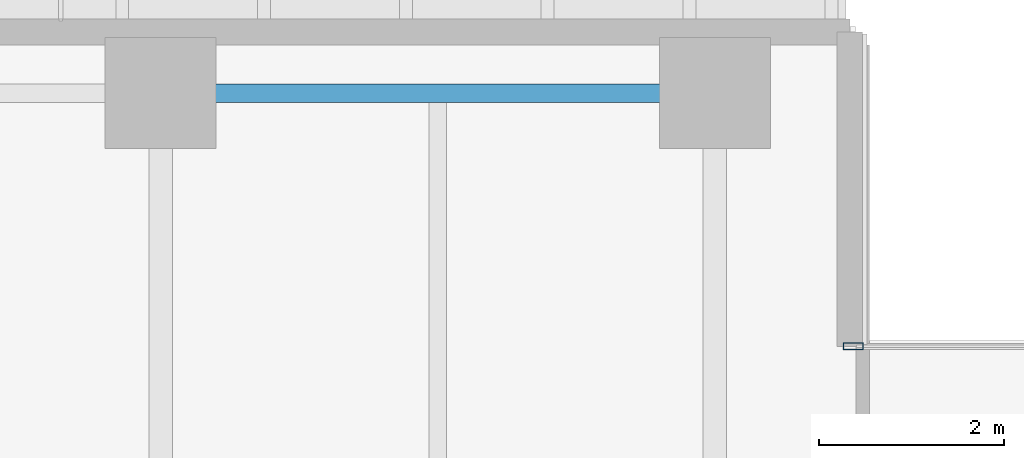
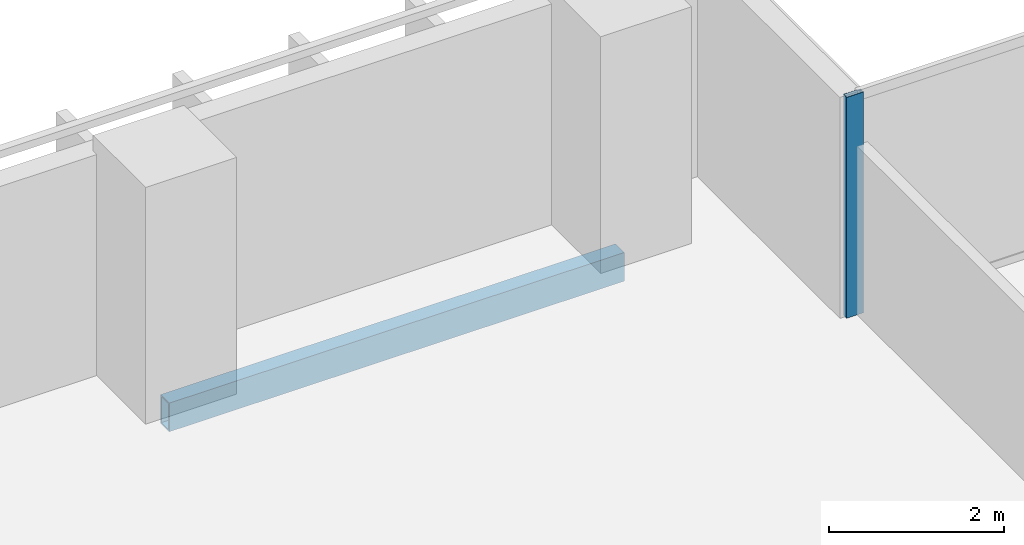
# One storey, part 10 of 33: 1 beam, 1 member, 1 element without a shape of its own.
"""IFC4 building model written with IfcOpenShell, lengths in metres."""

from ifc_helpers import new_model, si_unit, direction, frame, origin, origin_2d, place, context, subcontext, project, spatial, hollow_rectangle, extrude, material, layer, layer_set, material_profile, profile_set, type_object, element, aggregate, save


model = new_model("IFC4")

# Units and contexts
model_context = context("Model", 3, precision=1e-05, world=origin(), true_north=direction((0.0, 1.0)))
body_context = subcontext(model_context, "Body", "Model", "MODEL_VIEW")
ifc_project = project(units=[si_unit("LENGTHUNIT", "METRE"), si_unit("AREAUNIT", "SQUARE_METRE"), si_unit("VOLUMEUNIT", "CUBIC_METRE"), si_unit("PLANEANGLEUNIT", "RADIAN"), si_unit("MASSUNIT", "GRAM", prefix="KILO")], contexts=[model_context])

# Site, building, storey
site_placement = place(None, origin())
site = spatial("IfcSite", under=ifc_project, at=site_placement, CompositionType="ELEMENT")
building_placement = place(site_placement, origin())
building = spatial("IfcBuilding", under=site, at=building_placement, Name="Tanjung Sevakor Pilgrim Tower", CompositionType="ELEMENT")
storey_placement = place(building_placement, frame((0.0, 0.0, 52.139892578125)))
storey = spatial("IfcBuildingStorey", under=building, at=storey_placement, Name="L14", CompositionType="ELEMENT", Elevation=52.139892578125)

# Beam
ifc_material_1 = material(Name="Steel S355J2", Category="steel")
ifc_material_profile_1 = material_profile(ifc_material_1, hollow_rectangle(XDim=0.199951171875, YDim=0.39990234375, WallThickness=0.01611328125, at=origin_2d()))
ifc_profile_set_1 = profile_set([ifc_material_profile_1], Name="Steel S355J2")
beam_type = type_object("IfcBeamType", Name="BM-B-SP2-RHS_400x200x16", PredefinedType="SPANDREL", material=ifc_profile_set_1)
beam_placement = place(storey_placement, frame((36.0, 58.800048828125, -0.419921875), z_axis=(1.0, 0.0, 0.0), x_axis=(0.0, 1.0, 0.0)))
element("IfcBeam", 1, at=beam_placement, inside=storey, type_object=beam_type, Name="L14 Spandrel MAIN N-06", PredefinedType="SPANDREL", context=body_context, shape_type="SweptSolid", body=[
    extrude(hollow_rectangle(XDim=0.199951171875, YDim=0.39990234375, WallThickness=0.01611328125, at=origin_2d()), origin(), (0.0, 0.0, 1.0), 6.0),
])

# Curtain wall, member
ifc_material_2 = material(Name="Aluminium 6063-T6 and Low-E Glass", Category="aluminium")
ifc_layer = layer(ifc_material_2, 0.179931640625)
ifc_layer_set = layer_set([ifc_layer], Name="CW-SYS-CLEFT")
curtain_wall_type = type_object("IfcCurtainWallType", Name="CW-SYS-CLEFT", PredefinedType="NOTDEFINED", material=ifc_layer_set)
curtain_wall_placement = place(storey_placement, origin())
curtain_wall = element("IfcCurtainWall", 2, at=curtain_wall_placement, inside=storey, type_object=curtain_wall_type, Name="L14 Curtain Wall CW-CLF-L14-10", PredefinedType="NOTDEFINED")
ifc_material_3 = material(Name="Aluminium 6063-T6", Category="aluminium")
ifc_material_profile_2 = material_profile(ifc_material_3, hollow_rectangle(XDim=0.074951171875, YDim=0.219970703125, WallThickness=0.0048828125, at=origin_2d()))
ifc_profile_set_2 = profile_set([ifc_material_profile_2], Name="Aluminium 6063-T6")
member_type = type_object("IfcMemberType", Name="TYPE-CWM-2", PredefinedType="MULLION", material=ifc_profile_set_2)
member_placement = place(storey_placement, frame((43.49755859375, 56.06005859375, 0.0), z_axis=(0.0, 0.0, 1.0), x_axis=(0.0, -1.0, 0.0)))
member = element("IfcMember", 3, at=member_placement, type_object=member_type, Name="CW-CLF mullion 2", PredefinedType="MULLION", context=body_context, shape_type="SweptSolid", body=[
    extrude(hollow_rectangle(XDim=0.074951171875, YDim=0.219970703125, WallThickness=0.0048828125, at=origin_2d()), origin(), (0.0, 0.0, 1.0), 3.080078125),
])
aggregate(curtain_wall, [member])

save(model, "model.ifc")
